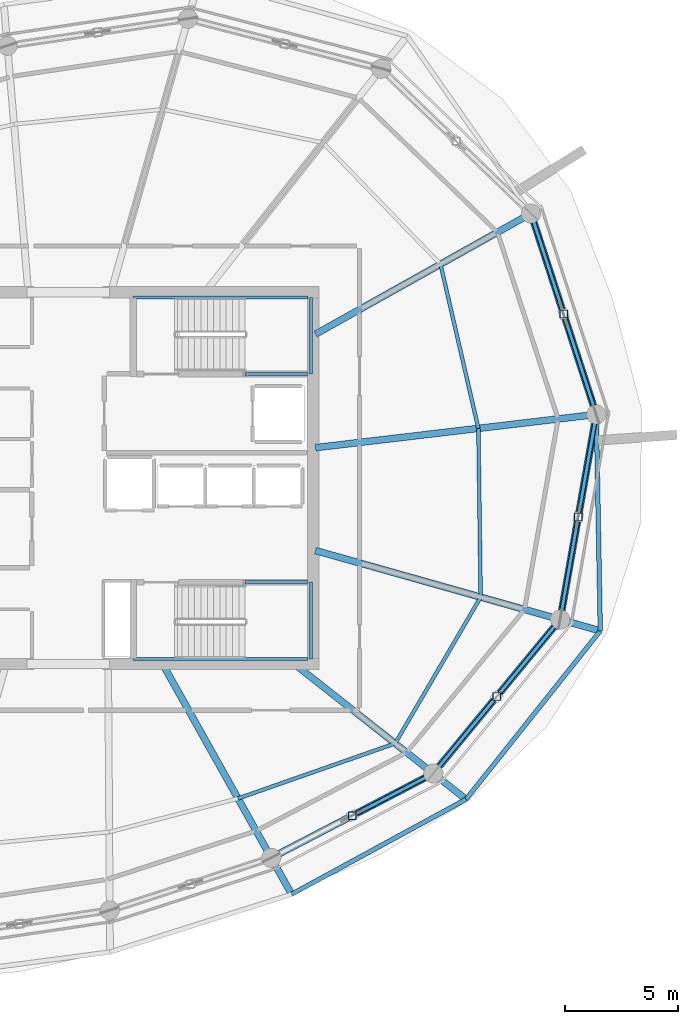
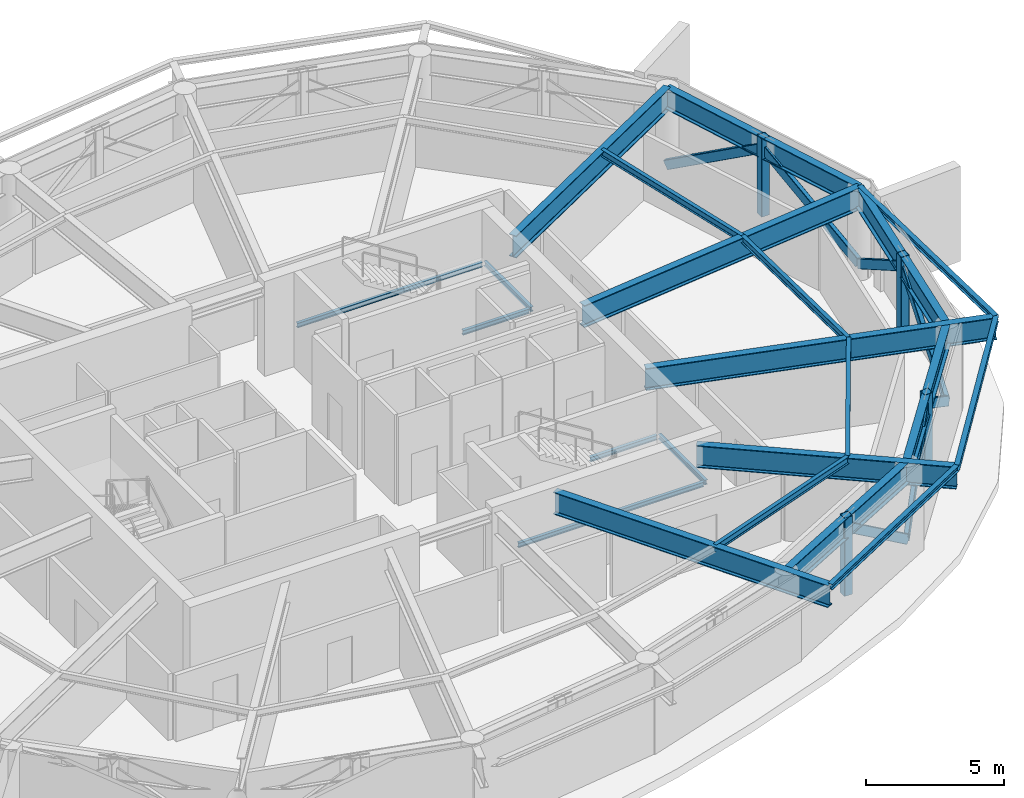
# One storey, part 6 of 14: 22 beams, 11 members.
"""IFC4 building model written with IfcOpenShell, lengths in metres."""

from ifc_helpers import new_model, si_unit, direction, frame, origin, origin_2d, place, context, subcontext, project, spatial, hollow_rectangle, i_section, extrude, material, material_profile, profile_set, type_object, element, save


model = new_model("IFC4")

# Units and contexts
model_context = context("Model", 3, precision=1e-05, world=origin(), true_north=direction((0.0, 1.0)))
body_context = subcontext(model_context, "Body", "Model", "MODEL_VIEW")
ifc_project = project(units=[si_unit("LENGTHUNIT", "METRE"), si_unit("AREAUNIT", "SQUARE_METRE"), si_unit("VOLUMEUNIT", "CUBIC_METRE"), si_unit("PLANEANGLEUNIT", "RADIAN"), si_unit("MASSUNIT", "GRAM", prefix="KILO")], contexts=[model_context])

# Site, building, storey
site_placement = place(None, origin())
site = spatial("IfcSite", under=ifc_project, at=site_placement, CompositionType="ELEMENT")
building_placement = place(site_placement, origin())
building = spatial("IfcBuilding", under=site, at=building_placement, Name="Kazma Halo Residences", CompositionType="ELEMENT")
storey_placement = place(building_placement, frame((0.0, 0.0, 343.10009765625)))
storey = spatial("IfcBuildingStorey", under=building, at=storey_placement, Name="L86", CompositionType="ELEMENT", Elevation=343.10009765625)

# Beams
ifc_material = material(Name="Steel S355", Category="steel")
ifc_material_profile_1 = material_profile(ifc_material, i_section(OverallWidth=0.201904296875, OverallDepth=0.2470703125, WebThickness=0.00732421875, FlangeThickness=0.010986328125, FilletRadius=0.011962890625, at=origin_2d()), Name="W250x49.1")
ifc_profile_set_1 = profile_set([ifc_material_profile_1], Name="Steel S355")
beam_type_1 = type_object("IfcBeamType", Name="BM-BAL-CANT", PredefinedType="BEAM", material=ifc_profile_set_1)
beam_1_placement = place(storey_placement, frame((58.3408203125, 23.53515625, 3.81640625), z_axis=(0.878288155766, 0.478131692571, 0.0), x_axis=(-0.478131692571, 0.878288155766, 0.0)))
element("IfcBeam", 1, at=beam_1_placement, inside=storey, type_object=beam_type_1, Name="L86 wave-balcony tie beam 13", PredefinedType="BEAM", context=body_context, shape_type="SweptSolid", body=[
    extrude(i_section(OverallWidth=0.201904296875, OverallDepth=0.2470703125, WebThickness=0.00732421875, FlangeThickness=0.010986328125, FilletRadius=0.011962890625, at=origin_2d()), origin(), (0.0, 0.0, 1.0), 8.810546875),
])
beam_2_placement = place(storey_placement, frame((66.0791015625, 27.747802734375, 3.81640625), z_axis=(0.623310870646, 0.781974141858, 0.0), x_axis=(-0.781974141858, 0.623310870646, 0.0)))
element("IfcBeam", 2, at=beam_2_placement, inside=storey, type_object=beam_type_1, Name="L86 wave-balcony tie beam 14", PredefinedType="BEAM", context=body_context, shape_type="SweptSolid", body=[
    extrude(i_section(OverallWidth=0.201904296875, OverallDepth=0.2470703125, WebThickness=0.00732421875, FlangeThickness=0.010986328125, FilletRadius=0.011962890625, at=origin_2d()), origin(), (0.0, 0.0, 1.0), 9.55712890625),
])
beam_3_placement = place(storey_placement, frame((72.0361328125, 35.22119140625, 3.81640625), z_axis=(-0.018301708623, 0.999832509704, 0.0), x_axis=(-0.999832509704, -0.018301708623, 0.0)))
element("IfcBeam", 3, at=beam_3_placement, inside=storey, type_object=beam_type_1, Name="L86 wave-balcony tie beam 15", PredefinedType="BEAM", context=body_context, shape_type="SweptSolid", body=[
    extrude(i_section(OverallWidth=0.201904296875, OverallDepth=0.2470703125, WebThickness=0.00732421875, FlangeThickness=0.010986328125, FilletRadius=0.011962890625, at=origin_2d()), origin(), (0.0, 0.0, 1.0), 9.604736328125),
])
ifc_material_profile_2 = material_profile(ifc_material, i_section(OverallWidth=0.30908203125, OverallDepth=0.931884765625, WebThickness=0.02099609375, FlangeThickness=0.034423828125, FilletRadius=0.02392578125, at=origin_2d()), Name="W920x313")
ifc_profile_set_2 = profile_set([ifc_material_profile_2], Name="Steel S355")
beam_type_2 = type_object("IfcBeamType", Name="BM-BELT-W920A", PredefinedType="BEAM", material=ifc_profile_set_2)
beam_4_placement = place(storey_placement, frame((57.436767578125, 25.1494140625, 3.473876953125), z_axis=(0.886957269655, 0.461851493238, 0.0), x_axis=(-0.461851493238, 0.886957269655, 0.0)))
element("IfcBeam", 4, at=beam_4_placement, inside=storey, type_object=beam_type_2, Name="L86 perimeter ring beam 13", PredefinedType="BEAM", context=body_context, shape_type="SweptSolid", body=[
    extrude(i_section(OverallWidth=0.30908203125, OverallDepth=0.931884765625, WebThickness=0.02099609375, FlangeThickness=0.034423828125, FilletRadius=0.02392578125, at=origin_2d()), origin(), (0.0, 0.0, 1.0), 8.105712890625),
])
beam_5_placement = place(storey_placement, frame((64.626220703125, 28.89306640625, 3.473876953125), z_axis=(0.636004986424, 0.771684946881, 0.0), x_axis=(-0.771684946881, 0.636004986424, 0.0)))
element("IfcBeam", 5, at=beam_5_placement, inside=storey, type_object=beam_type_2, Name="L86 perimeter ring beam 14", PredefinedType="BEAM", context=body_context, shape_type="SweptSolid", body=[
    extrude(i_section(OverallWidth=0.30908203125, OverallDepth=0.931884765625, WebThickness=0.02099609375, FlangeThickness=0.034423828125, FilletRadius=0.02392578125, at=origin_2d()), origin(), (0.0, 0.0, 1.0), 8.85107421875),
])
beam_6_placement = place(storey_placement, frame((70.255615234375, 35.723388671875, 3.473876953125), z_axis=(0.173649692956, 0.984807485825, 0.0), x_axis=(-0.984807485825, 0.173649692956, 0.0)))
element("IfcBeam", 6, at=beam_6_placement, inside=storey, type_object=beam_type_2, Name="L86 perimeter ring beam 15", PredefinedType="BEAM", context=body_context, shape_type="SweptSolid", body=[
    extrude(i_section(OverallWidth=0.30908203125, OverallDepth=0.931884765625, WebThickness=0.02099609375, FlangeThickness=0.034423828125, FilletRadius=0.02392578125, at=origin_2d()), origin(), (0.0, 0.0, 1.0), 9.2412109375),
])
beam_7_placement = place(storey_placement, frame((71.8603515625, 44.82421875, 3.473876953125), z_axis=(-0.309023062674, 0.951054544564, 0.0), x_axis=(-0.951054544564, -0.309023062674, 0.0)))
element("IfcBeam", 7, at=beam_7_placement, inside=storey, type_object=beam_type_2, Name="L86 perimeter ring beam 16", PredefinedType="BEAM", context=body_context, shape_type="SweptSolid", body=[
    extrude(i_section(OverallWidth=0.30908203125, OverallDepth=0.931884765625, WebThickness=0.02099609375, FlangeThickness=0.034423828125, FilletRadius=0.02392578125, at=origin_2d()), origin(), (0.0, 0.0, 1.0), 9.37451171875),
])
ifc_material_profile_3 = material_profile(ifc_material, i_section(OverallWidth=0.300048828125, OverallDepth=0.98193359375, WebThickness=0.0166015625, FlangeThickness=0.032958984375, FilletRadius=0.02587890625, at=origin_2d()), Name="W1000x296")
ifc_profile_set_3 = profile_set([ifc_material_profile_3], Name="Steel S355")
beam_type_3 = type_object("IfcBeamType", Name="BM-OUTR-W1000C", PredefinedType="BEAM", material=ifc_profile_set_3)
beam_8_placement = place(storey_placement, frame((59.39990234375, 48.38427734375, 3.448974609375), z_axis=(0.872499558985, 0.488614899047, 0.0), x_axis=(-0.488614899047, 0.872499558985, 0.0)))
element("IfcBeam", 8, at=beam_8_placement, inside=storey, type_object=beam_type_3, Name="L86 radial floor beam 01", PredefinedType="BEAM", context=body_context, shape_type="SweptSolid", body=[
    extrude(i_section(OverallWidth=0.300048828125, OverallDepth=0.98193359375, WebThickness=0.0166015625, FlangeThickness=0.032958984375, FilletRadius=0.02587890625, at=origin_2d()), origin(), (0.0, 0.0, 1.0), 10.9609375),
])
beam_9_placement = place(storey_placement, frame((52.67626953125, 33.64990234375, 3.448974609375), z_axis=(0.488622607093, -0.872495242301, 0.0), x_axis=(0.872495242301, 0.488622607093, 0.0)))
element("IfcBeam", 9, at=beam_9_placement, inside=storey, type_object=beam_type_3, Name="L86 radial floor beam 13", PredefinedType="BEAM", context=body_context, shape_type="SweptSolid", body=[
    extrude(i_section(OverallWidth=0.300048828125, OverallDepth=0.98193359375, WebThickness=0.0166015625, FlangeThickness=0.032958984375, FilletRadius=0.02587890625, at=origin_2d()), origin(), (0.0, 0.0, 1.0), 11.5927734375),
])
beam_10_placement = place(storey_placement, frame((58.591796875, 33.64990234375, 3.448974609375), z_axis=(0.785338117696, -0.619067073017, 0.0), x_axis=(0.619067073017, 0.785338117696, 0.0)))
element("IfcBeam", 10, at=beam_10_placement, inside=storey, type_object=beam_type_3, Name="L86 radial floor beam 14", PredefinedType="BEAM", context=body_context, shape_type="SweptSolid", body=[
    extrude(i_section(OverallWidth=0.300048828125, OverallDepth=0.98193359375, WebThickness=0.0166015625, FlangeThickness=0.032958984375, FilletRadius=0.02587890625, at=origin_2d()), origin(), (0.0, 0.0, 1.0), 9.533935546875),
])
beam_11_placement = place(storey_placement, frame((59.39990234375, 38.784912109375, 3.448974609375), z_axis=(0.962456527183, -0.271435873243, 0.0), x_axis=(0.271435873243, 0.962456527183, 0.0)))
element("IfcBeam", 11, at=beam_11_placement, inside=storey, type_object=beam_type_3, Name="L86 radial floor beam 15", PredefinedType="BEAM", context=body_context, shape_type="SweptSolid", body=[
    extrude(i_section(OverallWidth=0.300048828125, OverallDepth=0.98193359375, WebThickness=0.0166015625, FlangeThickness=0.032958984375, FilletRadius=0.02587890625, at=origin_2d()), origin(), (0.0, 0.0, 1.0), 13.129150390625),
])
beam_12_placement = place(storey_placement, frame((59.39990234375, 43.349365234375, 3.448974609375), z_axis=(0.993067878665, 0.117542283299, 0.0), x_axis=(-0.117542283299, 0.993067878665, 0.0)))
element("IfcBeam", 12, at=beam_12_placement, inside=storey, type_object=beam_type_3, Name="L86 radial floor beam 16", PredefinedType="BEAM", context=body_context, shape_type="SweptSolid", body=[
    extrude(i_section(OverallWidth=0.300048828125, OverallDepth=0.98193359375, WebThickness=0.0166015625, FlangeThickness=0.032958984375, FilletRadius=0.02587890625, at=origin_2d()), origin(), (0.0, 0.0, 1.0), 12.54736328125),
])
ifc_material_profile_4 = material_profile(ifc_material, i_section(OverallWidth=0.1650390625, OverallDepth=0.31005859375, WebThickness=0.005859375, FlangeThickness=0.009765625, FilletRadius=0.011962890625, at=origin_2d()), Name="W310x38.7")
ifc_profile_set_4 = profile_set([ifc_material_profile_4], Name="Steel S355")
beam_type_4 = type_object("IfcBeamType", Name="BM-SEC-W310B", PredefinedType="JOIST", material=ifc_profile_set_4)
beam_13_placement = place(storey_placement, frame((55.961669921875, 27.783447265625, 3.784912109375), z_axis=(0.943734651501, 0.33070365519, 0.0), x_axis=(-0.33070365519, 0.943734651501, 0.0)))
element("IfcBeam", 13, at=beam_13_placement, inside=storey, type_object=beam_type_4, Name="L86 circumferential floor joist 13", PredefinedType="JOIST", context=body_context, shape_type="SweptSolid", body=[
    extrude(i_section(OverallWidth=0.1650390625, OverallDepth=0.31005859375, WebThickness=0.005859375, FlangeThickness=0.009765625, FilletRadius=0.011962890625, at=origin_2d()), origin(), (0.0, 0.0, 1.0), 7.388427734375),
])
beam_14_placement = place(storey_placement, frame((62.934326171875, 30.226806640625, 3.784912109375), z_axis=(0.504678344784, 0.863307458734, 0.0), x_axis=(-0.863307458734, 0.504678344784, 0.0)))
element("IfcBeam", 14, at=beam_14_placement, inside=storey, type_object=beam_type_4, Name="L86 circumferential floor joist 14", PredefinedType="JOIST", context=body_context, shape_type="SweptSolid", body=[
    extrude(i_section(OverallWidth=0.1650390625, OverallDepth=0.31005859375, WebThickness=0.005859375, FlangeThickness=0.009765625, FilletRadius=0.011962890625, at=origin_2d()), origin(), (0.0, 0.0, 1.0), 7.51904296875),
])
beam_15_placement = place(storey_placement, frame((66.72900390625, 36.718017578125, 3.784912109375), z_axis=(-0.013629909387, 0.999907108471, 0.0), x_axis=(-0.999907108471, -0.013629909387, 0.0)))
element("IfcBeam", 15, at=beam_15_placement, inside=storey, type_object=beam_type_4, Name="L86 circumferential floor joist 15", PredefinedType="JOIST", context=body_context, shape_type="SweptSolid", body=[
    extrude(i_section(OverallWidth=0.1650390625, OverallDepth=0.31005859375, WebThickness=0.005859375, FlangeThickness=0.009765625, FilletRadius=0.011962890625, at=origin_2d()), origin(), (0.0, 0.0, 1.0), 7.4873046875),
])
beam_16_placement = place(storey_placement, frame((66.626953125, 44.20458984375, 3.784912109375), z_axis=(-0.224709269338, 0.974425853656, 0.0), x_axis=(-0.974425853656, -0.224709269338, 0.0)))
element("IfcBeam", 16, at=beam_16_placement, inside=storey, type_object=beam_type_4, Name="L86 circumferential floor joist 16", PredefinedType="JOIST", context=body_context, shape_type="SweptSolid", body=[
    extrude(i_section(OverallWidth=0.1650390625, OverallDepth=0.31005859375, WebThickness=0.005859375, FlangeThickness=0.009765625, FilletRadius=0.011962890625, at=origin_2d()), origin(), (0.0, 0.0, 1.0), 7.47705078125),
])
ifc_material_profile_5 = material_profile(ifc_material, i_section(OverallWidth=0.133056640625, OverallDepth=0.20703125, WebThickness=0.005859375, FlangeThickness=0.00830078125, FilletRadius=0.010009765625, at=origin_2d()), Name="W200x26.6")
ifc_profile_set_5 = profile_set([ifc_material_profile_5], Name="Steel S355")
beam_type_5 = type_object("IfcBeamType", Name="BM-TRIM-W200", PredefinedType="BEAM", material=ifc_profile_set_5)
beam_17_placement = place(storey_placement, frame((51.31005859375, 50.02001953125, 1.794921875), z_axis=(1.0, 0.0, 0.0), x_axis=(0.0, 1.0, 0.0)))
element("IfcBeam", 17, at=beam_17_placement, inside=storey, type_object=beam_type_5, Name="L86 ST-02 landing north wall ledger", PredefinedType="BEAM", context=body_context, shape_type="SweptSolid", body=[
    extrude(i_section(OverallWidth=0.133056640625, OverallDepth=0.20703125, WebThickness=0.005859375, FlangeThickness=0.00830078125, FilletRadius=0.010009765625, at=origin_2d()), origin(), (0.0, 0.0, 1.0), 7.760009765625),
])
beam_18_placement = place(storey_placement, frame((56.280029296875, 46.6201171875, 1.794921875), z_axis=(1.0, 0.0, 0.0), x_axis=(0.0, 1.0, 0.0)))
element("IfcBeam", 18, at=beam_18_placement, inside=storey, type_object=beam_type_5, Name="L86 ST-02 landing south wall ledger", PredefinedType="BEAM", context=body_context, shape_type="SweptSolid", body=[
    extrude(i_section(OverallWidth=0.133056640625, OverallDepth=0.20703125, WebThickness=0.005859375, FlangeThickness=0.00830078125, FilletRadius=0.010009765625, at=origin_2d()), origin(), (0.0, 0.0, 1.0), 2.7900390625),
])
beam_19_placement = place(storey_placement, frame((59.18994140625, 46.6201171875, 1.794921875), z_axis=(0.0, 1.0, 0.0), x_axis=(-1.0, 0.0, 0.0)))
element("IfcBeam", 19, at=beam_19_placement, inside=storey, type_object=beam_type_5, Name="L86 ST-02 landing end wall ledger", PredefinedType="BEAM", context=body_context, shape_type="SweptSolid", body=[
    extrude(i_section(OverallWidth=0.133056640625, OverallDepth=0.20703125, WebThickness=0.005859375, FlangeThickness=0.00830078125, FilletRadius=0.010009765625, at=origin_2d()), origin(), (0.0, 0.0, 1.0), 3.39990234375),
])
beam_20_placement = place(storey_placement, frame((51.31005859375, 33.97998046875, 1.794921875), z_axis=(1.0, 0.0, 0.0), x_axis=(0.0, 1.0, 0.0)))
element("IfcBeam", 20, at=beam_20_placement, inside=storey, type_object=beam_type_5, Name="L86 ST-03 landing south wall ledger", PredefinedType="BEAM", context=body_context, shape_type="SweptSolid", body=[
    extrude(i_section(OverallWidth=0.133056640625, OverallDepth=0.20703125, WebThickness=0.005859375, FlangeThickness=0.00830078125, FilletRadius=0.010009765625, at=origin_2d()), origin(), (0.0, 0.0, 1.0), 7.760009765625),
])
beam_21_placement = place(storey_placement, frame((56.280029296875, 37.3798828125, 1.794921875), z_axis=(1.0, 0.0, 0.0), x_axis=(0.0, 1.0, 0.0)))
element("IfcBeam", 21, at=beam_21_placement, inside=storey, type_object=beam_type_5, Name="L86 ST-03 landing north wall ledger", PredefinedType="BEAM", context=body_context, shape_type="SweptSolid", body=[
    extrude(i_section(OverallWidth=0.133056640625, OverallDepth=0.20703125, WebThickness=0.005859375, FlangeThickness=0.00830078125, FilletRadius=0.010009765625, at=origin_2d()), origin(), (0.0, 0.0, 1.0), 2.7900390625),
])
beam_22_placement = place(storey_placement, frame((59.18994140625, 33.97998046875, 1.794921875), z_axis=(0.0, 1.0, 0.0), x_axis=(-1.0, 0.0, 0.0)))
element("IfcBeam", 22, at=beam_22_placement, inside=storey, type_object=beam_type_5, Name="L86 ST-03 landing end wall ledger", PredefinedType="BEAM", context=body_context, shape_type="SweptSolid", body=[
    extrude(i_section(OverallWidth=0.133056640625, OverallDepth=0.20703125, WebThickness=0.005859375, FlangeThickness=0.00830078125, FilletRadius=0.010009765625, at=origin_2d()), origin(), (0.0, 0.0, 1.0), 3.39990234375),
])

# Members
ifc_material_profile_6 = material_profile(ifc_material, hollow_rectangle(XDim=0.199951171875, YDim=0.39990234375, WallThickness=0.01611328125, InnerFilletRadius=0.01611328125, OuterFilletRadius=0.031982421875, at=origin_2d()), Name="RHS400x200x16")
ifc_profile_set_6 = profile_set([ifc_material_profile_6], Name="Steel S355")
member_type_1 = type_object("IfcMemberType", Name="MBR-BELT-RHS400", PredefinedType="BRACE", material=ifc_profile_set_6)
member_1_placement = place(storey_placement, frame((64.626220703125, 28.89306640625, 0.47998046875), z_axis=(-0.717941445014, -0.373891265985, 0.587167269822), x_axis=(0.461898880778, -0.886932592668, 0.0)))
element("IfcMember", 23, at=member_1_placement, inside=storey, type_object=member_type_1, Name="L86 belt-truss chevron diagonal 13B", PredefinedType="BRACE", context=body_context, shape_type="SweptSolid", body=[
    extrude(hollow_rectangle(XDim=0.199951171875, YDim=0.39990234375, WallThickness=0.01611328125, InnerFilletRadius=0.01611328125, OuterFilletRadius=0.031982421875, at=origin_2d()), origin(), (0.0, 0.0, 1.0), 5.007080078125),
])
member_2_placement = place(storey_placement, frame((64.626220703125, 28.89306640625, 0.47998046875), z_axis=(0.529772700969, 0.642766982493, 0.553345725134), x_axis=(-0.771673789204, 0.636018524145, 0.0)))
element("IfcMember", 24, at=member_2_placement, inside=storey, type_object=member_type_1, Name="L86 belt-truss chevron diagonal 14A", PredefinedType="BRACE", context=body_context, shape_type="SweptSolid", body=[
    extrude(hollow_rectangle(XDim=0.199951171875, YDim=0.39990234375, WallThickness=0.01611328125, InnerFilletRadius=0.01611328125, OuterFilletRadius=0.031982421875, at=origin_2d()), origin(), (0.0, 0.0, 1.0), 5.31298828125),
])
member_3_placement = place(storey_placement, frame((70.255615234375, 35.723388671875, 0.47998046875), z_axis=(-0.529757053744, -0.642793947855, 0.553329381662), x_axis=(0.771696103846, -0.635991449084, 0.0)))
element("IfcMember", 25, at=member_3_placement, inside=storey, type_object=member_type_1, Name="L86 belt-truss chevron diagonal 14B", PredefinedType="BRACE", context=body_context, shape_type="SweptSolid", body=[
    extrude(hollow_rectangle(XDim=0.199951171875, YDim=0.39990234375, WallThickness=0.01611328125, InnerFilletRadius=0.01611328125, OuterFilletRadius=0.031982421875, at=origin_2d()), origin(), (0.0, 0.0, 1.0), 5.313232421875),
])
member_4_placement = place(storey_placement, frame((70.255615234375, 35.723388671875, 0.47998046875), z_axis=(0.146532533468, 0.83087111615, 0.536825302107), x_axis=(-0.984802170725, 0.173679833414, 0.0)))
element("IfcMember", 26, at=member_4_placement, inside=storey, type_object=member_type_1, Name="L86 belt-truss chevron diagonal 15A", PredefinedType="BRACE", context=body_context, shape_type="SweptSolid", body=[
    extrude(hollow_rectangle(XDim=0.199951171875, YDim=0.39990234375, WallThickness=0.01611328125, InnerFilletRadius=0.01611328125, OuterFilletRadius=0.031982421875, at=origin_2d()), origin(), (0.0, 0.0, 1.0), 5.4765625),
])
member_5_placement = place(storey_placement, frame((71.8603515625, 44.82421875, 0.47998046875), z_axis=(-0.146483484999, -0.830890345985, 0.536808924639), x_axis=(0.984812799774, -0.173619553627, 0.0)))
element("IfcMember", 27, at=member_5_placement, inside=storey, type_object=member_type_1, Name="L86 belt-truss chevron diagonal 15B", PredefinedType="BRACE", context=body_context, shape_type="SweptSolid", body=[
    extrude(hollow_rectangle(XDim=0.199951171875, YDim=0.39990234375, WallThickness=0.01611328125, InnerFilletRadius=0.01611328125, OuterFilletRadius=0.031982421875, at=origin_2d()), origin(), (0.0, 0.0, 1.0), 5.476806640625),
])
member_6_placement = place(storey_placement, frame((71.8603515625, 44.82421875, 0.47998046875), z_axis=(-0.261794957236, 0.805682475, 0.531355953993), x_axis=(-0.951052057514, -0.309030716755, 0.0)))
element("IfcMember", 28, at=member_6_placement, inside=storey, type_object=member_type_1, Name="L86 belt-truss chevron diagonal 16A", PredefinedType="BRACE", context=body_context, shape_type="SweptSolid", body=[
    extrude(hollow_rectangle(XDim=0.199951171875, YDim=0.39990234375, WallThickness=0.01611328125, InnerFilletRadius=0.01611328125, OuterFilletRadius=0.031982421875, at=origin_2d()), origin(), (0.0, 0.0, 1.0), 5.532958984375),
])
member_7_placement = place(storey_placement, frame((68.96337890625, 53.739990234375, 0.47998046875), z_axis=(0.261785650426, -0.805697956646, 0.53133706429), x_axis=(0.951057031429, 0.309015408952, 0.0)))
element("IfcMember", 29, at=member_7_placement, inside=storey, type_object=member_type_1, Name="L86 belt-truss chevron diagonal 16B", PredefinedType="BRACE", context=body_context, shape_type="SweptSolid", body=[
    extrude(hollow_rectangle(XDim=0.199951171875, YDim=0.39990234375, WallThickness=0.01611328125, InnerFilletRadius=0.01611328125, OuterFilletRadius=0.031982421875, at=origin_2d()), origin(), (0.0, 0.0, 1.0), 5.533203125),
])
ifc_material_profile_7 = material_profile(ifc_material, hollow_rectangle(XDim=0.35009765625, YDim=0.35009765625, WallThickness=0.01611328125, InnerFilletRadius=0.01611328125, OuterFilletRadius=0.031982421875, at=origin_2d()), Name="SHS350x350x16")
ifc_profile_set_7 = profile_set([ifc_material_profile_7], Name="Steel S355")
member_type_2 = type_object("IfcMemberType", Name="MBR-POST-SHS350", PredefinedType="STRUT", material=ifc_profile_set_7)
for number, where, z_axis, x_axis, name in (
    (30, (61.031494140625, 27.02099609375, 0.47998046875), (0.0, 0.0, 1.0), (1.0, 0.0, 0.0), "L86 belt-truss web post 13"),
    (31, (67.44091796875, 32.30810546875, 0.47998046875), (0.0, 0.0, 1.0), (1.0, 0.0, 0.0), "L86 belt-truss web post 14"),
    (32, (71.05810546875, 40.273681640625, 0.47998046875), (0.0, 0.0, 1.0), (1.0, 0.0, 0.0), "L86 belt-truss web post 15"),
    (33, (70.411865234375, 49.281982421875, 0.47998046875), (0.0, 0.0, 1.0), (1.0, 0.0, 0.0), "L86 belt-truss web post 16"),
):
    element("IfcMember", number, at=place(storey_placement, frame(where, z_axis=z_axis, x_axis=x_axis)), inside=storey, type_object=member_type_2, Name=name, PredefinedType="STRUT", context=body_context, shape_type="SweptSolid", body=[
        extrude(hollow_rectangle(XDim=0.35009765625, YDim=0.35009765625, WallThickness=0.01611328125, InnerFilletRadius=0.01611328125, OuterFilletRadius=0.031982421875, at=origin_2d()), origin(), (0.0, 0.0, 1.0), 3.4599609375),
    ])

save(model, "model.ifc")
